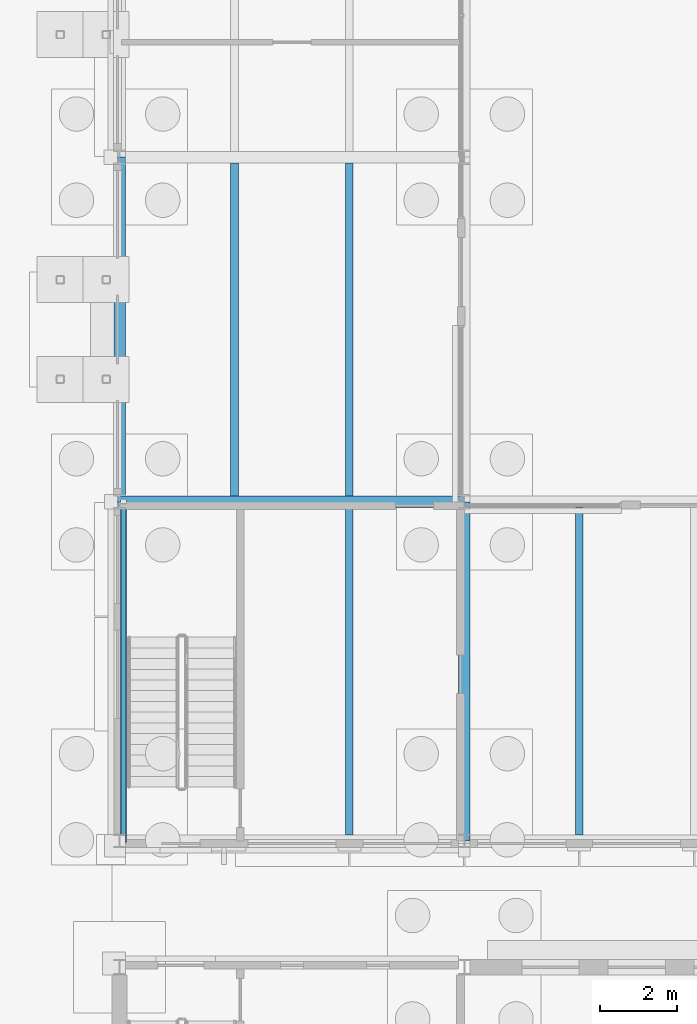
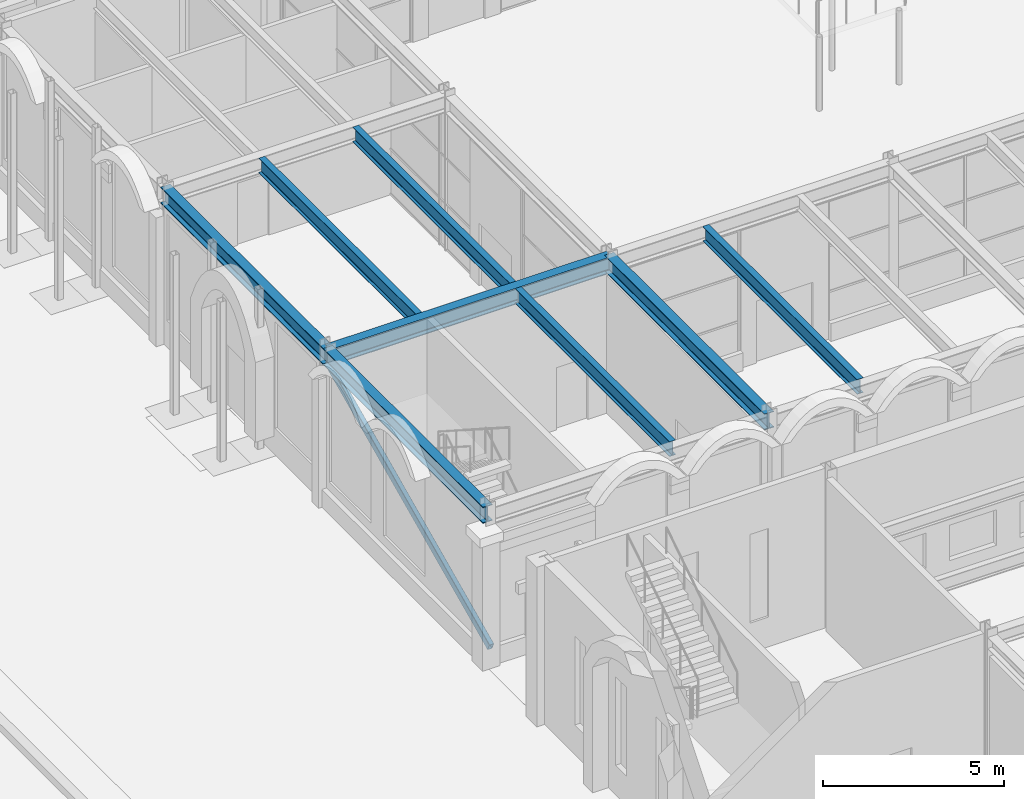
# One storey, part 33 of 126: 8 beams, 1 member.
"""IFC4 building model written with IfcOpenShell, lengths in metres."""

import ifcopenshell
import ifcopenshell.guid

model = None  # the IFC model being written
_history = None  # IfcOwnerHistory: only IFC2X3 demands one
_inside = {}  # id of a spatial element -> (the spatial element, [elements in it])
_under = {}  # id of a project, library or spatial element -> (it, [spatial elements below it])
_declared = {}  # id of a project -> (the project, [libraries it declares])
_typed = {}  # id of a type object -> (the type object, [elements of that type])
_made_of = {}  # id of a material, layer set ... -> (it, [elements and type objects made of it])


def new_model(schema):
    """Start an empty IFC model of exactly this schema.

    Asked for "IFC4X3", IfcOpenShell would pick the latest addendum, in which some entities
    have other attributes; the version numbers below select the first issue.
    IFC2X3 requires an IfcOwnerHistory on every rooted entity: one is made here for all.
    """
    global model, _history
    if schema == "IFC4X3":
        model = ifcopenshell.file(schema_version=(4, 3, 0, 0))
    else:
        model = ifcopenshell.file(schema=schema)
    _inside.clear()
    _under.clear()
    _declared.clear()
    _typed.clear()
    _made_of.clear()
    _history = None
    if model.schema == "IFC2X3":
        org = make("IfcOrganization", Name="unknown")
        user = make(
            "IfcPersonAndOrganization",
            ThePerson=make("IfcPerson", FamilyName="unknown"),
            TheOrganization=org,
        )
        app = make(
            "IfcApplication",
            ApplicationDeveloper=org,
            Version="unknown",
            ApplicationFullName="unknown",
            ApplicationIdentifier="unknown",
        )
        _history = make(
            "IfcOwnerHistory",
            OwningUser=user,
            OwningApplication=app,
            ChangeAction="ADDED",
            CreationDate=0,
        )
    return model


def make(cls, **values):
    """One entity of the class cls with the attributes given. An attribute that is None is left unset."""
    return model.create_entity(
        cls, **{name: value for name, value in values.items() if value is not None}
    )


def rooted(cls, **values):
    """An entity with a GlobalId (a new one), such as an element, a storey or a relation."""
    return make(cls, GlobalId=ifcopenshell.guid.new(), OwnerHistory=_history, **values)


def si_unit(unit_type, name, prefix=None):
    """IfcSIUnit, for example si_unit("LENGTHUNIT", "METRE", prefix="MILLI")."""
    return make("IfcSIUnit", UnitType=unit_type, Prefix=prefix, Name=name)


def assignment(units):
    """IfcUnitAssignment: the units of a project."""
    return None if units is None else make("IfcUnitAssignment", Units=units)


def point(xyz):
    """IfcCartesianPoint."""
    return None if xyz is None else make("IfcCartesianPoint", Coordinates=xyz)


def direction(xyz):
    """IfcDirection."""
    return None if xyz is None else make("IfcDirection", DirectionRatios=xyz)


def frame(location, z_axis=None, x_axis=None):
    """IfcAxis2Placement3D, a coordinate frame: its origin and axes. An axis left out is left unset."""
    return make(
        "IfcAxis2Placement3D",
        Location=point(location),
        Axis=direction(z_axis),
        RefDirection=direction(x_axis),
    )


def frame_2d(location, x_axis=None):
    """IfcAxis2Placement2D, a coordinate frame in the plane: its origin and x axis."""
    return make(
        "IfcAxis2Placement2D", Location=point(location), RefDirection=direction(x_axis)
    )


def origin():
    """The frame at (0, 0, 0) with its axes left unset."""
    return frame((0.0, 0.0, 0.0))


def origin_2d():
    """The frame at (0, 0) in the plane with its x axis left unset."""
    return frame_2d((0.0, 0.0))


def place(relative_to, where):
    """IfcLocalPlacement: puts the frame where relative to a parent placement (None: the world)."""
    return make(
        "IfcLocalPlacement", PlacementRelTo=relative_to, RelativePlacement=where
    )


def context(
    kind, dimensions, precision=None, world=None, true_north=None, identifier=None
):
    """IfcGeometricRepresentationContext, for example the 3D "Model" context."""
    return make(
        "IfcGeometricRepresentationContext",
        ContextIdentifier=identifier,
        ContextType=kind,
        CoordinateSpaceDimension=dimensions,
        Precision=precision,
        WorldCoordinateSystem=world,
        TrueNorth=true_north,
    )


def subcontext(parent, identifier, kind, view, scale=None):
    """IfcGeometricRepresentationSubContext, for example "Body" below "Model"."""
    return make(
        "IfcGeometricRepresentationSubContext",
        ContextIdentifier=identifier,
        ContextType=kind,
        ParentContext=parent,
        TargetScale=scale,
        TargetView=view,
    )


def project(units=None, contexts=None):
    """IfcProject with its units and contexts."""
    return rooted(
        "IfcProject",
        Name="project",
        RepresentationContexts=contexts,
        UnitsInContext=assignment(units),
    )


def spatial(cls, under=None, at=None, **own):
    """A site, building, storey or space (cls), placed at a placement, below another one or the project."""
    s = rooted(cls, ObjectPlacement=at, **own)
    if under is not None:
        _under.setdefault(under.id(), (under, []))[1].append(s)
    return s


def profile(cls, at=None, kind="AREA", **sizes):
    """A parametric profile (cls). Its sizes go by their IFC names, for example OverallWidth=200.0."""
    return make(cls, ProfileType=kind, Position=at, **sizes)


def hollow_rectangle(**sizes):
    """IfcRectangleHollowProfileDef."""
    return profile("IfcRectangleHollowProfileDef", **sizes)


def i_section(**sizes):
    """IfcIShapeProfileDef."""
    return profile("IfcIShapeProfileDef", **sizes)


def extrude(swept, where, along, depth):
    """IfcExtrudedAreaSolid: the profile swept, set in the frame where, extruded along a direction by depth."""
    return make(
        "IfcExtrudedAreaSolid",
        SweptArea=swept,
        Position=where,
        ExtrudedDirection=direction(along),
        Depth=depth,
    )


def shape(context_of_items, identifier, shape_type, items):
    """IfcShapeRepresentation: the items that make up one representation, for example the "Body"."""
    return make(
        "IfcShapeRepresentation",
        ContextOfItems=context_of_items,
        RepresentationIdentifier=identifier,
        RepresentationType=shape_type,
        Items=items,
    )


def material(Name=None, Category=None):
    """IfcMaterial."""
    return make("IfcMaterial", Name=Name, Category=Category)


def material_profile(
    of_material, cross_section, Name=None, Category=None, Priority=None
):
    """IfcMaterialProfile: a cross section and its material."""
    return make(
        "IfcMaterialProfile",
        Name=Name,
        Material=of_material,
        Profile=cross_section,
        Priority=Priority,
        Category=Category,
    )


def profile_set(profiles, Name=None, composite=None):
    """IfcMaterialProfileSet."""
    return make(
        "IfcMaterialProfileSet",
        Name=Name,
        MaterialProfiles=profiles,
        CompositeProfile=composite,
    )


def made_of(thing, what):
    """Note that an element or type object is made of a material, layer set ...; save() writes the relation."""
    if what is not None:
        _made_of.setdefault(what.id(), (what, []))[1].append(thing)
    return thing


def type_object(cls, material=None, **own):
    """A type object (cls), such as IfcWallType, which elements share."""
    return made_of(rooted(cls, **own), material)


def element(
    cls,
    number,
    at=None,
    inside=None,
    cuts=None,
    type_object=None,
    material=None,
    context=None,
    identifier="Body",
    shape_type=None,
    held_by="IfcProductDefinitionShape",
    body=None,
    shapes=None,
    **own,
):
    """One element of the class cls, such as IfcWall. Its Tag is "e" and its number.

    at: its placement. inside: the storey or other place that contains it. cuts: it is an
    opening in that element (IfcRelVoidsElement). A single representation is given by context,
    identifier, shape_type and body (its items); several are given by shapes. held_by: the class
    of the entity that holds the representations. save() writes the other relations.
    """
    e = rooted(cls, Tag="e%d" % number, ObjectPlacement=at, **own)
    if body is not None:
        shapes = [shape(context, identifier, shape_type, body)]
    if shapes is not None:
        e.Representation = make(held_by, Representations=shapes)
    if inside is not None:
        _inside.setdefault(inside.id(), (inside, []))[1].append(e)
    if cuts is not None:
        rooted(
            "IfcRelVoidsElement", RelatingBuildingElement=cuts, RelatedOpeningElement=e
        )
    if type_object is not None:
        _typed.setdefault(type_object.id(), (type_object, []))[1].append(e)
    return made_of(e, material)


def aggregate(whole, parts):
    """IfcRelAggregates: a whole, such as a stair, and the parts it consists of."""
    return rooted("IfcRelAggregates", RelatingObject=whole, RelatedObjects=parts)


def save(model, path):
    """Write the relations noted so far, then the file.

    IfcRelAggregates (storeys below a building ...), IfcRelContainedInSpatialStructure (elements
    in a storey), IfcRelDefinesByType, IfcRelAssociatesMaterial and IfcRelDeclares: one each for
    every whole, place, type object, material and project.
    """
    for whole, parts in _under.values():
        aggregate(whole, parts)
    for where, things in _inside.values():
        rooted(
            "IfcRelContainedInSpatialStructure",
            RelatedElements=things,
            RelatingStructure=where,
        )
    for kind, things in _typed.values():
        rooted("IfcRelDefinesByType", RelatedObjects=things, RelatingType=kind)
    for what, things in _made_of.values():
        rooted("IfcRelAssociatesMaterial", RelatedObjects=things, RelatingMaterial=what)
    for by, libraries in _declared.values():
        rooted("IfcRelDeclares", RelatingContext=by, RelatedDefinitions=libraries)
    model.write(path)


model = new_model("IFC4")

# Units and contexts
model_context = context("Model", 3, precision=1e-05, world=origin(), true_north=direction((0.0, 1.0)))
body_context = subcontext(model_context, "Body", "Model", "MODEL_VIEW")
ifc_project = project(units=[si_unit("LENGTHUNIT", "METRE"), si_unit("AREAUNIT", "SQUARE_METRE"), si_unit("VOLUMEUNIT", "CUBIC_METRE"), si_unit("PLANEANGLEUNIT", "RADIAN"), si_unit("MASSUNIT", "GRAM", prefix="KILO")], contexts=[model_context])

# Site, building, storey
site_placement = place(None, origin())
site = spatial("IfcSite", under=ifc_project, at=site_placement, CompositionType="ELEMENT")
building_placement = place(site_placement, origin())
building = spatial("IfcBuilding", under=site, at=building_placement, Name="Kallimachos Central Library", CompositionType="ELEMENT")
storey_placement = place(building_placement, origin())
storey = spatial("IfcBuildingStorey", under=building, at=storey_placement, Name="L00", CompositionType="ELEMENT", Elevation=0.0)

# Beams
ifc_material_1 = material(Name="Steel S355J2", Category="steel")
ifc_material_profile_1 = material_profile(ifc_material_1, i_section(OverallWidth=0.300048828125, OverallDepth=0.550048828125, WebThickness=0.014892578125, FlangeThickness=0.029052734375, FilletRadius=0.027099609375, at=origin_2d()), Name="HEB 550")
ifc_profile_set_1 = profile_set([ifc_material_profile_1], Name="Steel S355J2")
beam_type_1 = type_object("IfcBeamType", Name="HEB 550 beam", PredefinedType="BEAM", material=ifc_profile_set_1)
for number, where, z_axis, x_axis, name in (
    (1, (65.5, 57.0, 4.925048828125), (1.0, 0.0, 0.0), (0.0, 1.0, 0.0), "V4-BEM-L00-021"),
    (2, (65.5, 57.0, 4.925048828125), (0.0, 1.0, 0.0), (-1.0, 0.0, 0.0), "V4-BEM-L00-023"),
):
    element("IfcBeam", number, at=place(storey_placement, frame(where, z_axis=z_axis, x_axis=x_axis)), inside=storey, type_object=beam_type_1, Name=name, PredefinedType="BEAM", context=body_context, shape_type="SweptSolid", body=[
        extrude(i_section(OverallWidth=0.300048828125, OverallDepth=0.550048828125, WebThickness=0.014892578125, FlangeThickness=0.029052734375, FilletRadius=0.027099609375, at=origin_2d()), origin(), (0.0, 0.0, 1.0), 9.0),
    ])
for number, where, z_axis, x_axis, name in (
    (3, (65.5, 48.14990234375, 4.925048828125), (0.0, 1.0, 0.0), (-1.0, 0.0, 0.0), "V4-BEM-L00-049"),
    (4, (74.5, 48.14990234375, 4.925048828125), (0.0, 1.0, 0.0), (-1.0, 0.0, 0.0), "V4-BEM-L00-050"),
):
    element("IfcBeam", number, at=place(storey_placement, frame(where, z_axis=z_axis, x_axis=x_axis)), inside=storey, type_object=beam_type_1, Name=name, PredefinedType="BEAM", context=body_context, shape_type="SweptSolid", body=[
        extrude(i_section(OverallWidth=0.300048828125, OverallDepth=0.550048828125, WebThickness=0.014892578125, FlangeThickness=0.029052734375, FilletRadius=0.027099609375, at=origin_2d()), origin(), (0.0, 0.0, 1.0), 8.85009765625),
    ])
ifc_material_2 = material(Name="Steel S355J2", Category="steel")
ifc_material_profile_2 = material_profile(ifc_material_2, i_section(OverallWidth=0.199951171875, OverallDepth=0.5, WebThickness=0.01025390625, FlangeThickness=0.01611328125, FilletRadius=0.02099609375, at=origin_2d()), Name="IPE 500")
ifc_profile_set_2 = profile_set([ifc_material_profile_2], Name="Steel S355J2")
beam_type_2 = type_object("IfcBeamType", Name="IPE 500 beam", PredefinedType="BEAM", material=ifc_profile_set_2)
for number, where, z_axis, x_axis, name in (
    (5, (68.5, 57.14990234375, 4.949951171875), (0.0, 1.0, 0.0), (-1.0, 0.0, 0.0), "V4-BEM-L00-027"),
    (6, (71.5, 57.14990234375, 4.949951171875), (0.0, 1.0, 0.0), (-1.0, 0.0, 0.0), "V4-BEM-L00-028"),
):
    element("IfcBeam", number, at=place(storey_placement, frame(where, z_axis=z_axis, x_axis=x_axis)), inside=storey, type_object=beam_type_2, Name=name, PredefinedType="BEAM", context=body_context, shape_type="SweptSolid", body=[
        extrude(i_section(OverallWidth=0.199951171875, OverallDepth=0.5, WebThickness=0.01025390625, FlangeThickness=0.01611328125, FilletRadius=0.02099609375, at=origin_2d()), origin(), (0.0, 0.0, 1.0), 8.7001953125),
    ])
for number, where, z_axis, x_axis, name in (
    (7, (71.5, 48.300048828125, 4.949951171875), (0.0, 1.0, 0.0), (-1.0, 0.0, 0.0), "V4-BEM-L00-055"),
    (8, (77.5, 48.300048828125, 4.949951171875), (0.0, 1.0, 0.0), (-1.0, 0.0, 0.0), "V4-BEM-L00-056"),
):
    element("IfcBeam", number, at=place(storey_placement, frame(where, z_axis=z_axis, x_axis=x_axis)), inside=storey, type_object=beam_type_2, Name=name, PredefinedType="BEAM", context=body_context, shape_type="SweptSolid", body=[
        extrude(i_section(OverallWidth=0.199951171875, OverallDepth=0.5, WebThickness=0.01025390625, FlangeThickness=0.01611328125, FilletRadius=0.02099609375, at=origin_2d()), origin(), (0.0, 0.0, 1.0), 8.550048828125),
    ])

# Member
ifc_material_3 = material(Name="Steel S355J2H", Category="steel")
ifc_material_profile_3 = material_profile(ifc_material_3, hollow_rectangle(XDim=0.14990234375, YDim=0.25, WallThickness=0.010009765625, InnerFilletRadius=0.010009765625, OuterFilletRadius=0.014892578125, at=origin_2d()), Name="RHS 250x150x10")
ifc_profile_set_3 = profile_set([ifc_material_profile_3], Name="Steel S355J2H")
member_type = type_object("IfcMemberType", Name="RHS 250x150x10 brace", PredefinedType="BRACE", material=ifc_profile_set_3)
member_placement = place(storey_placement, frame((65.60009765625, 48.14990234375, 0.39990234375), z_axis=(0.0, 0.907356249397, 0.420362506272), x_axis=(-1.0, 0.0, 0.0)))
element("IfcMember", 9, at=member_placement, inside=storey, type_object=member_type, Name="V4-MEM-L00-003", PredefinedType="BRACE", context=body_context, shape_type="SweptSolid", body=[
    extrude(hollow_rectangle(XDim=0.14990234375, YDim=0.25, WallThickness=0.010009765625, InnerFilletRadius=0.010009765625, OuterFilletRadius=0.014892578125, at=origin_2d()), origin(), (0.0, 0.0, 1.0), 9.753662109375),
])

save(model, "model.ifc")
